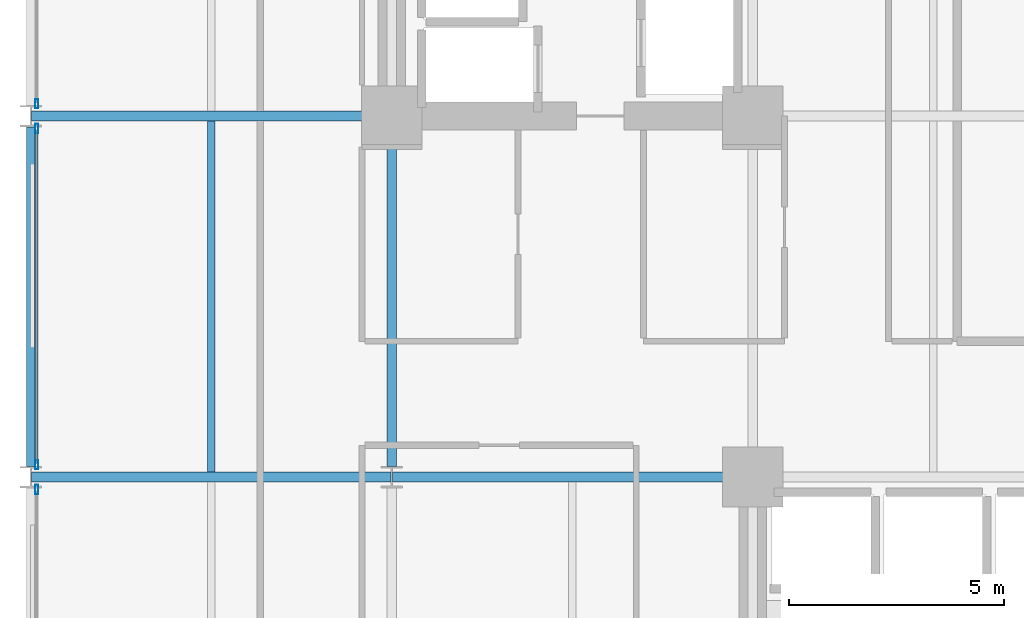
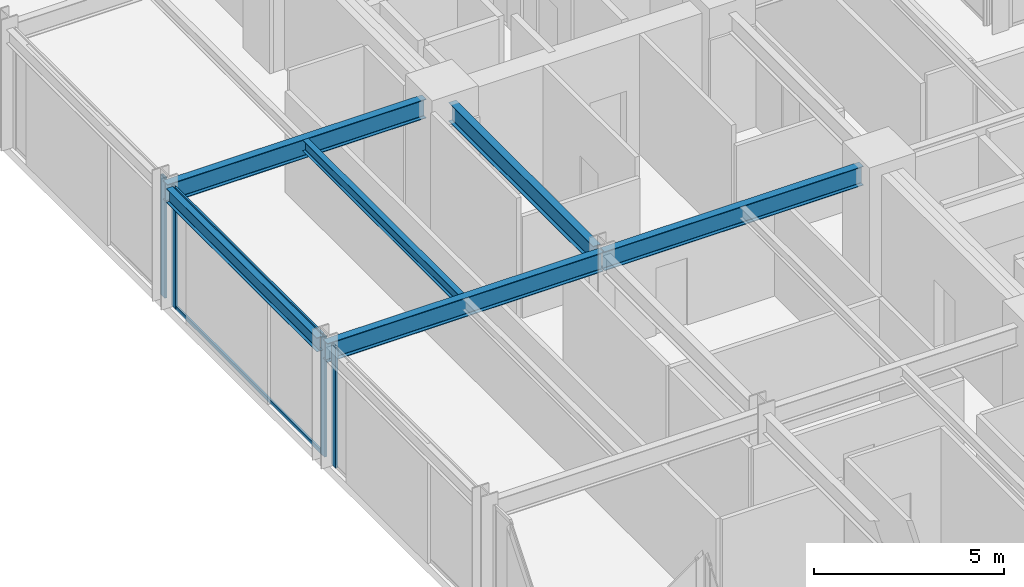
# One storey, part 8 of 26: 6 beams, 6 members, 3 elements without a shape of their own.
"""IFC4 building model written with IfcOpenShell, lengths in metres."""

import ifcopenshell
import ifcopenshell.guid

model = None  # the IFC model being written
_history = None  # IfcOwnerHistory: only IFC2X3 demands one
_inside = {}  # id of a spatial element -> (the spatial element, [elements in it])
_under = {}  # id of a project, library or spatial element -> (it, [spatial elements below it])
_declared = {}  # id of a project -> (the project, [libraries it declares])
_typed = {}  # id of a type object -> (the type object, [elements of that type])
_made_of = {}  # id of a material, layer set ... -> (it, [elements and type objects made of it])


def new_model(schema):
    """Start an empty IFC model of exactly this schema.

    Asked for "IFC4X3", IfcOpenShell would pick the latest addendum, in which some entities
    have other attributes; the version numbers below select the first issue.
    IFC2X3 requires an IfcOwnerHistory on every rooted entity: one is made here for all.
    """
    global model, _history
    if schema == "IFC4X3":
        model = ifcopenshell.file(schema_version=(4, 3, 0, 0))
    else:
        model = ifcopenshell.file(schema=schema)
    _inside.clear()
    _under.clear()
    _declared.clear()
    _typed.clear()
    _made_of.clear()
    _history = None
    if model.schema == "IFC2X3":
        org = make("IfcOrganization", Name="unknown")
        user = make(
            "IfcPersonAndOrganization",
            ThePerson=make("IfcPerson", FamilyName="unknown"),
            TheOrganization=org,
        )
        app = make(
            "IfcApplication",
            ApplicationDeveloper=org,
            Version="unknown",
            ApplicationFullName="unknown",
            ApplicationIdentifier="unknown",
        )
        _history = make(
            "IfcOwnerHistory",
            OwningUser=user,
            OwningApplication=app,
            ChangeAction="ADDED",
            CreationDate=0,
        )
    return model


def make(cls, **values):
    """One entity of the class cls with the attributes given. An attribute that is None is left unset."""
    return model.create_entity(
        cls, **{name: value for name, value in values.items() if value is not None}
    )


def rooted(cls, **values):
    """An entity with a GlobalId (a new one), such as an element, a storey or a relation."""
    return make(cls, GlobalId=ifcopenshell.guid.new(), OwnerHistory=_history, **values)


def si_unit(unit_type, name, prefix=None):
    """IfcSIUnit, for example si_unit("LENGTHUNIT", "METRE", prefix="MILLI")."""
    return make("IfcSIUnit", UnitType=unit_type, Prefix=prefix, Name=name)


def assignment(units):
    """IfcUnitAssignment: the units of a project."""
    return None if units is None else make("IfcUnitAssignment", Units=units)


def point(xyz):
    """IfcCartesianPoint."""
    return None if xyz is None else make("IfcCartesianPoint", Coordinates=xyz)


def direction(xyz):
    """IfcDirection."""
    return None if xyz is None else make("IfcDirection", DirectionRatios=xyz)


def frame(location, z_axis=None, x_axis=None):
    """IfcAxis2Placement3D, a coordinate frame: its origin and axes. An axis left out is left unset."""
    return make(
        "IfcAxis2Placement3D",
        Location=point(location),
        Axis=direction(z_axis),
        RefDirection=direction(x_axis),
    )


def frame_2d(location, x_axis=None):
    """IfcAxis2Placement2D, a coordinate frame in the plane: its origin and x axis."""
    return make(
        "IfcAxis2Placement2D", Location=point(location), RefDirection=direction(x_axis)
    )


def origin():
    """The frame at (0, 0, 0) with its axes left unset."""
    return frame((0.0, 0.0, 0.0))


def origin_2d():
    """The frame at (0, 0) in the plane with its x axis left unset."""
    return frame_2d((0.0, 0.0))


def place(relative_to, where):
    """IfcLocalPlacement: puts the frame where relative to a parent placement (None: the world)."""
    return make(
        "IfcLocalPlacement", PlacementRelTo=relative_to, RelativePlacement=where
    )


def context(
    kind, dimensions, precision=None, world=None, true_north=None, identifier=None
):
    """IfcGeometricRepresentationContext, for example the 3D "Model" context."""
    return make(
        "IfcGeometricRepresentationContext",
        ContextIdentifier=identifier,
        ContextType=kind,
        CoordinateSpaceDimension=dimensions,
        Precision=precision,
        WorldCoordinateSystem=world,
        TrueNorth=true_north,
    )


def subcontext(parent, identifier, kind, view, scale=None):
    """IfcGeometricRepresentationSubContext, for example "Body" below "Model"."""
    return make(
        "IfcGeometricRepresentationSubContext",
        ContextIdentifier=identifier,
        ContextType=kind,
        ParentContext=parent,
        TargetScale=scale,
        TargetView=view,
    )


def project(units=None, contexts=None):
    """IfcProject with its units and contexts."""
    return rooted(
        "IfcProject",
        Name="project",
        RepresentationContexts=contexts,
        UnitsInContext=assignment(units),
    )


def spatial(cls, under=None, at=None, **own):
    """A site, building, storey or space (cls), placed at a placement, below another one or the project."""
    s = rooted(cls, ObjectPlacement=at, **own)
    if under is not None:
        _under.setdefault(under.id(), (under, []))[1].append(s)
    return s


def profile(cls, at=None, kind="AREA", **sizes):
    """A parametric profile (cls). Its sizes go by their IFC names, for example OverallWidth=200.0."""
    return make(cls, ProfileType=kind, Position=at, **sizes)


def hollow_rectangle(**sizes):
    """IfcRectangleHollowProfileDef."""
    return profile("IfcRectangleHollowProfileDef", **sizes)


def i_section(**sizes):
    """IfcIShapeProfileDef."""
    return profile("IfcIShapeProfileDef", **sizes)


def extrude(swept, where, along, depth):
    """IfcExtrudedAreaSolid: the profile swept, set in the frame where, extruded along a direction by depth."""
    return make(
        "IfcExtrudedAreaSolid",
        SweptArea=swept,
        Position=where,
        ExtrudedDirection=direction(along),
        Depth=depth,
    )


def shape(context_of_items, identifier, shape_type, items):
    """IfcShapeRepresentation: the items that make up one representation, for example the "Body"."""
    return make(
        "IfcShapeRepresentation",
        ContextOfItems=context_of_items,
        RepresentationIdentifier=identifier,
        RepresentationType=shape_type,
        Items=items,
    )


def material(Name=None, Category=None):
    """IfcMaterial."""
    return make("IfcMaterial", Name=Name, Category=Category)


def layer(
    of_material, thickness, ventilated=None, Name=None, Category=None, Priority=None
):
    """IfcMaterialLayer: one layer of a wall or slab, of a material (None: an air gap)."""
    return make(
        "IfcMaterialLayer",
        Material=of_material,
        LayerThickness=thickness,
        IsVentilated=ventilated,
        Name=Name,
        Category=Category,
        Priority=Priority,
    )


def layer_set(layers, Name=None):
    """IfcMaterialLayerSet."""
    return make("IfcMaterialLayerSet", MaterialLayers=layers, LayerSetName=Name)


def material_profile(
    of_material, cross_section, Name=None, Category=None, Priority=None
):
    """IfcMaterialProfile: a cross section and its material."""
    return make(
        "IfcMaterialProfile",
        Name=Name,
        Material=of_material,
        Profile=cross_section,
        Priority=Priority,
        Category=Category,
    )


def profile_set(profiles, Name=None, composite=None):
    """IfcMaterialProfileSet."""
    return make(
        "IfcMaterialProfileSet",
        Name=Name,
        MaterialProfiles=profiles,
        CompositeProfile=composite,
    )


def made_of(thing, what):
    """Note that an element or type object is made of a material, layer set ...; save() writes the relation."""
    if what is not None:
        _made_of.setdefault(what.id(), (what, []))[1].append(thing)
    return thing


def type_object(cls, material=None, **own):
    """A type object (cls), such as IfcWallType, which elements share."""
    return made_of(rooted(cls, **own), material)


def element(
    cls,
    number,
    at=None,
    inside=None,
    cuts=None,
    type_object=None,
    material=None,
    context=None,
    identifier="Body",
    shape_type=None,
    held_by="IfcProductDefinitionShape",
    body=None,
    shapes=None,
    **own,
):
    """One element of the class cls, such as IfcWall. Its Tag is "e" and its number.

    at: its placement. inside: the storey or other place that contains it. cuts: it is an
    opening in that element (IfcRelVoidsElement). A single representation is given by context,
    identifier, shape_type and body (its items); several are given by shapes. held_by: the class
    of the entity that holds the representations. save() writes the other relations.
    """
    e = rooted(cls, Tag="e%d" % number, ObjectPlacement=at, **own)
    if body is not None:
        shapes = [shape(context, identifier, shape_type, body)]
    if shapes is not None:
        e.Representation = make(held_by, Representations=shapes)
    if inside is not None:
        _inside.setdefault(inside.id(), (inside, []))[1].append(e)
    if cuts is not None:
        rooted(
            "IfcRelVoidsElement", RelatingBuildingElement=cuts, RelatedOpeningElement=e
        )
    if type_object is not None:
        _typed.setdefault(type_object.id(), (type_object, []))[1].append(e)
    return made_of(e, material)


def aggregate(whole, parts):
    """IfcRelAggregates: a whole, such as a stair, and the parts it consists of."""
    return rooted("IfcRelAggregates", RelatingObject=whole, RelatedObjects=parts)


def save(model, path):
    """Write the relations noted so far, then the file.

    IfcRelAggregates (storeys below a building ...), IfcRelContainedInSpatialStructure (elements
    in a storey), IfcRelDefinesByType, IfcRelAssociatesMaterial and IfcRelDeclares: one each for
    every whole, place, type object, material and project.
    """
    for whole, parts in _under.values():
        aggregate(whole, parts)
    for where, things in _inside.values():
        rooted(
            "IfcRelContainedInSpatialStructure",
            RelatedElements=things,
            RelatingStructure=where,
        )
    for kind, things in _typed.values():
        rooted("IfcRelDefinesByType", RelatedObjects=things, RelatingType=kind)
    for what, things in _made_of.values():
        rooted("IfcRelAssociatesMaterial", RelatedObjects=things, RelatingMaterial=what)
    for by, libraries in _declared.values():
        rooted("IfcRelDeclares", RelatingContext=by, RelatedDefinitions=libraries)
    model.write(path)


model = new_model("IFC4")

# Units and contexts
model_context = context("Model", 3, precision=1e-05, world=origin(), true_north=direction((0.0, 1.0)))
body_context = subcontext(model_context, "Body", "Model", "MODEL_VIEW")
ifc_project = project(units=[si_unit("LENGTHUNIT", "METRE"), si_unit("AREAUNIT", "SQUARE_METRE"), si_unit("VOLUMEUNIT", "CUBIC_METRE"), si_unit("PLANEANGLEUNIT", "RADIAN"), si_unit("MASSUNIT", "GRAM", prefix="KILO")], contexts=[model_context])

# Site, building, storey
site_placement = place(None, origin())
site = spatial("IfcSite", under=ifc_project, at=site_placement, CompositionType="ELEMENT")
building_placement = place(site_placement, origin())
building = spatial("IfcBuilding", under=site, at=building_placement, Name="Nerrivon Quay Data Exchange", CompositionType="ELEMENT")
storey_placement = place(building_placement, frame((0.0, 0.0, 75.199951171875)))
storey = spatial("IfcBuildingStorey", under=building, at=storey_placement, Name="L17", CompositionType="ELEMENT", Elevation=75.199951171875)

# Beams
ifc_material_1 = material(Name="Steel Grade 350", Category="steel")
ifc_material_profile_1 = material_profile(ifc_material_1, i_section(OverallWidth=0.22900390625, OverallDepth=0.612060546875, WebThickness=0.011962890625, FlangeThickness=0.01953125, FilletRadius=0.013916015625, at=origin_2d()), Name="610UB125")
ifc_profile_set_1 = profile_set([ifc_material_profile_1], Name="Steel Grade 350")
beam_type_1 = type_object("IfcBeamType", Name="BM-G1-610UB125", PredefinedType="BEAM", material=ifc_profile_set_1)
beam_1_placement = place(storey_placement, frame((0.013916015625, 16.800048828125, 3.5439453125), z_axis=(1.0, 0.0, 0.0), x_axis=(0.0, 1.0, 0.0)))
element("IfcBeam", 1, at=beam_1_placement, inside=storey, type_object=beam_type_1, Name="L17 EW Girder Y=16.8 (0.0..8.4)", PredefinedType="BEAM", context=body_context, shape_type="SweptSolid", body=[
    extrude(i_section(OverallWidth=0.22900390625, OverallDepth=0.612060546875, WebThickness=0.011962890625, FlangeThickness=0.01953125, FilletRadius=0.013916015625, at=origin_2d()), origin(), (0.0, 0.0, 1.0), 8.3720703125),
])
beam_2_placement = place(storey_placement, frame((8.4140625, 16.800048828125, 3.5439453125), z_axis=(1.0, 0.0, 0.0), x_axis=(0.0, 1.0, 0.0)))
element("IfcBeam", 2, at=beam_2_placement, inside=storey, type_object=beam_type_1, Name="L17 EW Girder Y=16.8 (8.4..16.8)", PredefinedType="BEAM", context=body_context, shape_type="SweptSolid", body=[
    extrude(i_section(OverallWidth=0.22900390625, OverallDepth=0.612060546875, WebThickness=0.011962890625, FlangeThickness=0.01953125, FilletRadius=0.013916015625, at=origin_2d()), origin(), (0.0, 0.0, 1.0), 7.845947265625),
])
beam_3_placement = place(storey_placement, frame((0.013916015625, 25.199951171875, 3.5439453125), z_axis=(1.0, 0.0, 0.0), x_axis=(0.0, 1.0, 0.0)))
element("IfcBeam", 3, at=beam_3_placement, inside=storey, type_object=beam_type_1, Name="L17 EW Girder Y=25.2 (0.0..8.4)", PredefinedType="BEAM", context=body_context, shape_type="SweptSolid", body=[
    extrude(i_section(OverallWidth=0.22900390625, OverallDepth=0.612060546875, WebThickness=0.011962890625, FlangeThickness=0.01953125, FilletRadius=0.013916015625, at=origin_2d()), origin(), (0.0, 0.0, 1.0), 7.84619140625),
])
ifc_material_profile_2 = material_profile(ifc_material_1, i_section(OverallWidth=0.22802734375, OverallDepth=0.60205078125, WebThickness=0.010498046875, FlangeThickness=0.014892578125, FilletRadius=0.013916015625, at=origin_2d()), Name="610UB101")
ifc_profile_set_2 = profile_set([ifc_material_profile_2], Name="Steel Grade 350")
beam_type_2 = type_object("IfcBeamType", Name="BM-G2-610UB101", PredefinedType="BEAM", material=ifc_profile_set_2)
beam_4_placement = place(storey_placement, frame((8.39990234375, 17.050048828125, 3.549072265625), z_axis=(0.0, 1.0, 0.0), x_axis=(-1.0, 0.0, 0.0)))
element("IfcBeam", 4, at=beam_4_placement, inside=storey, type_object=beam_type_2, Name="L17 NS Girder X=8.4 (16.8..25.2)", PredefinedType="BEAM", context=body_context, shape_type="SweptSolid", body=[
    extrude(i_section(OverallWidth=0.22802734375, OverallDepth=0.60205078125, WebThickness=0.010498046875, FlangeThickness=0.014892578125, FilletRadius=0.013916015625, at=origin_2d()), origin(), (0.0, 0.0, 1.0), 7.60986328125),
])
ifc_material_profile_3 = material_profile(ifc_material_1, i_section(OverallWidth=0.172119140625, OverallDepth=0.35888671875, WebThickness=0.008056640625, FlangeThickness=0.012939453125, FilletRadius=0.011474609375, at=origin_2d()), Name="360UB56.7")
ifc_profile_set_3 = profile_set([ifc_material_profile_3], Name="Steel Grade 350")
beam_type_3 = type_object("IfcBeamType", Name="BM-J3-360UB57", PredefinedType="JOIST", material=ifc_profile_set_3)
beam_5_placement = place(storey_placement, frame((4.199951171875, 16.91455078125, 3.670654296875), z_axis=(0.0, 1.0, 0.0), x_axis=(-1.0, 0.0, 0.0)))
element("IfcBeam", 5, at=beam_5_placement, inside=storey, type_object=beam_type_3, Name="L17 Secondary Joist X=4.2 (16.8..25.2)", PredefinedType="JOIST", context=body_context, shape_type="SweptSolid", body=[
    extrude(i_section(OverallWidth=0.172119140625, OverallDepth=0.35888671875, WebThickness=0.008056640625, FlangeThickness=0.012939453125, FilletRadius=0.011474609375, at=origin_2d()), origin(), (0.0, 0.0, 1.0), 8.1708984375),
])
ifc_material_profile_4 = material_profile(ifc_material_1, i_section(OverallWidth=0.18994140625, OverallDepth=0.4541015625, WebThickness=0.008544921875, FlangeThickness=0.0126953125, FilletRadius=0.011474609375, at=origin_2d()), Name="460UB67.1")
ifc_profile_set_4 = profile_set([ifc_material_profile_4], Name="Steel Grade 350")
beam_type_4 = type_object("IfcBeamType", Name="BM-SP1-460UB67", PredefinedType="SPANDREL", material=ifc_profile_set_4)
beam_6_placement = place(storey_placement, frame((0.0, 17.050048828125, 3.623046875), z_axis=(0.0, 1.0, 0.0), x_axis=(-1.0, 0.0, 0.0)))
element("IfcBeam", 6, at=beam_6_placement, inside=storey, type_object=beam_type_4, Name="L17 NS Girder X=0.0 (16.8..25.2)", PredefinedType="SPANDREL", context=body_context, shape_type="SweptSolid", body=[
    extrude(i_section(OverallWidth=0.18994140625, OverallDepth=0.4541015625, WebThickness=0.008544921875, FlangeThickness=0.0126953125, FilletRadius=0.011474609375, at=origin_2d()), origin(), (0.0, 0.0, 1.0), 7.89990234375),
])

# Curtain wall, member
ifc_material_2 = material(Name="Anodised aluminium 6063-T6", Category="aluminium")
ifc_layer = layer(ifc_material_2, 0.219970703125)
ifc_layer_set = layer_set([ifc_layer], Name="Anodised aluminium 6063-T6")
curtain_wall_type = type_object("IfcCurtainWallType", Name="CW-SYS-01", PredefinedType="NOTDEFINED", material=ifc_layer_set)
curtain_wall_1_placement = place(storey_placement, origin())
curtain_wall_1 = element("IfcCurtainWall", 7, at=curtain_wall_1_placement, inside=storey, type_object=curtain_wall_type, Name="L17 Unitised Curtain Wall 18", PredefinedType="NOTDEFINED")
ifc_material_profile_5 = material_profile(ifc_material_2, hollow_rectangle(XDim=0.074951171875, YDim=0.219970703125, WallThickness=0.00390625, at=origin_2d()), Name="ALU-MULL-220x75")
ifc_profile_set_5 = profile_set([ifc_material_profile_5], Name="Anodised aluminium 6063-T6")
member_type_1 = type_object("IfcMemberType", Name="CWM-220x75", PredefinedType="MULLION", material=ifc_profile_set_5)
member_1_placement = place(storey_placement, frame((0.139892578125, 16.512451171875, 0.0), z_axis=(0.0, 0.0, 1.0), x_axis=(-1.0, 0.0, 0.0)))
member_1 = element("IfcMember", 8, at=member_1_placement, type_object=member_type_1, Name="CW01 mullion 2", PredefinedType="MULLION", context=body_context, shape_type="SweptSolid", body=[
    extrude(hollow_rectangle(XDim=0.074951171875, YDim=0.219970703125, WallThickness=0.00390625, at=origin_2d()), origin(), (0.0, 0.0, 1.0), 3.85009765625),
])
aggregate(curtain_wall_1, [member_1])

# Curtain wall, members
curtain_wall_2_placement = place(storey_placement, origin())
curtain_wall_2 = element("IfcCurtainWall", 9, at=curtain_wall_2_placement, inside=storey, type_object=curtain_wall_type, Name="L17 Unitised Curtain Wall 19", PredefinedType="NOTDEFINED")
member_2_placement = place(storey_placement, frame((0.139892578125, 17.08740234375, 0.0), z_axis=(0.0, 0.0, 1.0), x_axis=(-1.0, 0.0, 0.0)))
member_2 = element("IfcMember", 10, at=member_2_placement, type_object=member_type_1, Name="CW01 mullion 1", PredefinedType="MULLION", context=body_context, shape_type="SweptSolid", body=[
    extrude(hollow_rectangle(XDim=0.074951171875, YDim=0.219970703125, WallThickness=0.00390625, at=origin_2d()), origin(), (0.0, 0.0, 1.0), 3.85009765625),
])
member_3_placement = place(storey_placement, frame((0.139892578125, 24.91259765625, 0.0), z_axis=(0.0, 0.0, 1.0), x_axis=(-1.0, 0.0, 0.0)))
member_3 = element("IfcMember", 11, at=member_3_placement, type_object=member_type_1, Name="CW01 mullion 2", PredefinedType="MULLION", context=body_context, shape_type="SweptSolid", body=[
    extrude(hollow_rectangle(XDim=0.074951171875, YDim=0.219970703125, WallThickness=0.00390625, at=origin_2d()), origin(), (0.0, 0.0, 1.0), 3.85009765625),
])

# Curtain wall, member
curtain_wall_3_placement = place(storey_placement, origin())
curtain_wall_3 = element("IfcCurtainWall", 12, at=curtain_wall_3_placement, inside=storey, type_object=curtain_wall_type, Name="L17 Unitised Curtain Wall 20", PredefinedType="NOTDEFINED")
member_4_placement = place(storey_placement, frame((0.139892578125, 25.487548828125, 0.0), z_axis=(0.0, 0.0, 1.0), x_axis=(-1.0, 0.0, 0.0)))
member_4 = element("IfcMember", 13, at=member_4_placement, type_object=member_type_1, Name="CW01 mullion 1", PredefinedType="MULLION", context=body_context, shape_type="SweptSolid", body=[
    extrude(hollow_rectangle(XDim=0.074951171875, YDim=0.219970703125, WallThickness=0.00390625, at=origin_2d()), origin(), (0.0, 0.0, 1.0), 3.85009765625),
])
aggregate(curtain_wall_3, [member_4])

# Member
ifc_material_profile_6 = material_profile(ifc_material_2, hollow_rectangle(XDim=0.06005859375, YDim=0.1201171875, WallThickness=0.003173828125, at=origin_2d()), Name="ALU-TRAN-120x60")
ifc_profile_set_6 = profile_set([ifc_material_profile_6], Name="Anodised aluminium 6063-T6")
member_type_2 = type_object("IfcMemberType", Name="CWT-120x60", PredefinedType="USERDEFINED", material=ifc_profile_set_6)
member_5_placement = place(storey_placement, frame((0.139892578125, 17.125, 0.032470703125), z_axis=(0.0, 1.0, 0.0), x_axis=(-1.0, 0.0, 0.0)))
member_5 = element("IfcMember", 14, at=member_5_placement, type_object=member_type_2, Name="CW01 transom 1.1", ObjectType="TRANSOM", PredefinedType="USERDEFINED", context=body_context, shape_type="SweptSolid", body=[
    extrude(hollow_rectangle(XDim=0.06005859375, YDim=0.1201171875, WallThickness=0.003173828125, at=origin_2d()), origin(), (0.0, 0.0, 1.0), 7.75),
])

member_6_placement = place(storey_placement, frame((0.139892578125, 17.125, 3.817626953125), z_axis=(0.0, 1.0, 0.0), x_axis=(-1.0, 0.0, 0.0)))
member_6 = element("IfcMember", 15, at=member_6_placement, type_object=member_type_2, Name="CW01 transom 1.2", ObjectType="TRANSOM", PredefinedType="USERDEFINED", context=body_context, shape_type="SweptSolid", body=[
    extrude(hollow_rectangle(XDim=0.06005859375, YDim=0.1201171875, WallThickness=0.003173828125, at=origin_2d()), origin(), (0.0, 0.0, 1.0), 7.75),
])

aggregate(curtain_wall_2, [member_2, member_3, member_5, member_6])

save(model, "model.ifc")
